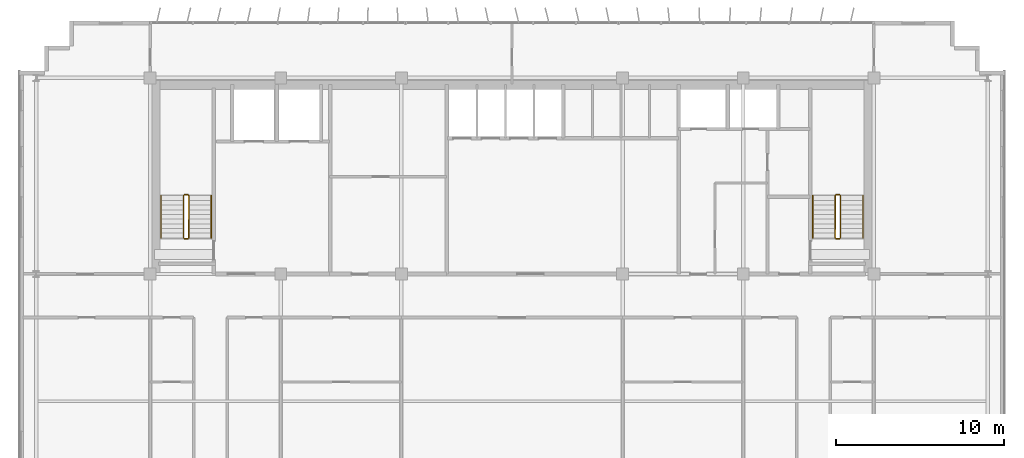
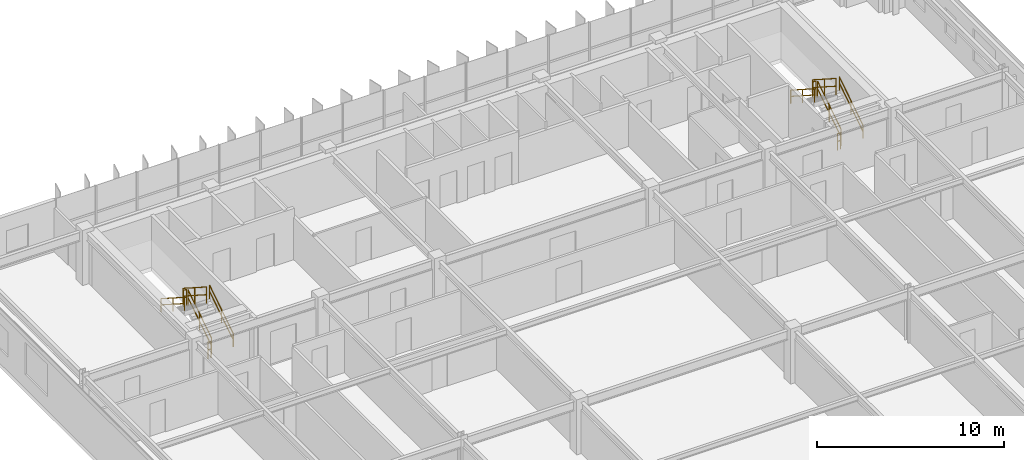
# One storey, part 20 of 20: 12 railings.
"""IFC4 building model written with IfcOpenShell, lengths in metres."""

from ifc_helpers import new_model, si_unit, direction, frame, origin, origin_2d, place, context, subcontext, project, spatial, rectangle, extrude, material, type_object, element, save


model = new_model("IFC4")

# Units and contexts
model_context = context("Model", 3, precision=1e-05, world=origin(), true_north=direction((0.0, 1.0)))
body_context = subcontext(model_context, "Body", "Model", "MODEL_VIEW")
ifc_project = project(units=[si_unit("LENGTHUNIT", "METRE"), si_unit("AREAUNIT", "SQUARE_METRE"), si_unit("VOLUMEUNIT", "CUBIC_METRE"), si_unit("PLANEANGLEUNIT", "RADIAN"), si_unit("MASSUNIT", "GRAM", prefix="KILO")], contexts=[model_context])

# Site, building, storey
site_placement = place(None, origin())
site = spatial("IfcSite", under=ifc_project, at=site_placement, CompositionType="ELEMENT")
building_placement = place(site_placement, origin())
building = spatial("IfcBuilding", under=site, at=building_placement, Name="Trelvane Seafront Commons", CompositionType="ELEMENT")
storey_placement = place(building_placement, frame((0.0, 0.0, 150.10009765625)))
storey = spatial("IfcBuildingStorey", under=building, at=storey_placement, Name="L39", CompositionType="ELEMENT", Elevation=150.10009765625)

# Railings
ifc_material = material(Name="Stainless steel balustrade", Category="steel")
railing_type_1 = type_object("IfcRailingType", Name="ARCH-SRL-GUARD", PredefinedType="GUARDRAIL", material=ifc_material)
railing_1_placement = place(storey_placement, frame((17.89990234375, 35.550048828125, 0.179931640625)))
element("IfcRailing", 1, at=railing_1_placement, inside=storey, type_object=railing_type_1, Name="L39 ST-1 stair guard 1", PredefinedType="GUARDRAIL", context=body_context, shape_type="SweptSolid", body=[
    extrude(rectangle(XDim=0.048095703125, YDim=0.048095703125, at=origin_2d()), frame((0.0, 0.0, 1.076171875), z_axis=(0.0, 0.841199657755, 0.540724639528), x_axis=(-1.0, 0.0, 0.0)), (0.0, 0.0, 1.0), 2.995849609375),
    extrude(rectangle(XDim=0.048095703125, YDim=0.048095703125, at=origin_2d()), frame((0.0, 0.0, 0.572021484375), z_axis=(0.0, 0.841199657755, 0.540724639528), x_axis=(-1.0, 0.0, 0.0)), (0.0, 0.0, 1.0), 2.995849609375),
    extrude(rectangle(XDim=0.0419921875, YDim=0.0419921875, at=origin_2d()), origin(), (0.0, 0.0, 1.0), 1.076171875),
    extrude(rectangle(XDim=0.0419921875, YDim=0.0419921875, at=origin_2d()), frame((0.0, 1.260009765625, 0.81005859375)), (0.0, 0.0, 1.0), 1.076171875),
    extrude(rectangle(XDim=0.0419921875, YDim=0.0419921875, at=origin_2d()), frame((0.0, 2.52001953125, 1.619873046875)), (0.0, 0.0, 1.0), 1.076171875),
])
railing_2_placement = place(storey_placement, frame((17.85009765625, 38.1201171875, 1.7998046875)))
element("IfcRailing", 2, at=railing_2_placement, inside=storey, type_object=railing_type_1, Name="L39 ST-1 stair guard 2", PredefinedType="GUARDRAIL", context=body_context, shape_type="SweptSolid", body=[
    extrude(rectangle(XDim=0.048095703125, YDim=0.048095703125, at=origin_2d()), frame((0.0, 0.0, 1.076171875), z_axis=(-1.0, 0.0, 0.0), x_axis=(0.0, -1.0, 0.0)), (0.0, 0.0, 1.0), 0.2001953125),
    extrude(rectangle(XDim=0.048095703125, YDim=0.048095703125, at=origin_2d()), frame((0.0, 0.0, 0.572021484375), z_axis=(-1.0, 0.0, 0.0), x_axis=(0.0, -1.0, 0.0)), (0.0, 0.0, 1.0), 0.2001953125),
    extrude(rectangle(XDim=0.0419921875, YDim=0.0419921875, at=origin_2d()), origin(), (0.0, 0.0, 1.0), 1.076171875),
    extrude(rectangle(XDim=0.0419921875, YDim=0.0419921875, at=origin_2d()), frame((-0.2001953125, 0.0, 0.0)), (0.0, 0.0, 1.0), 1.076171875),
])
railing_3_placement = place(storey_placement, frame((17.60009765625, 38.070068359375, 1.97998046875)))
element("IfcRailing", 3, at=railing_3_placement, inside=storey, type_object=railing_type_1, Name="L39 ST-1 stair guard 3", PredefinedType="GUARDRAIL", context=body_context, shape_type="SweptSolid", body=[
    extrude(rectangle(XDim=0.048095703125, YDim=0.048095703125, at=origin_2d()), frame((0.0, 0.0, 1.076171875), z_axis=(0.0, -0.841199657755, 0.540724639528), x_axis=(1.0, 0.0, 0.0)), (0.0, 0.0, 1.0), 2.995849609375),
    extrude(rectangle(XDim=0.048095703125, YDim=0.048095703125, at=origin_2d()), frame((0.0, 0.0, 0.572021484375), z_axis=(0.0, -0.841199657755, 0.540724639528), x_axis=(1.0, 0.0, 0.0)), (0.0, 0.0, 1.0), 2.995849609375),
    extrude(rectangle(XDim=0.0419921875, YDim=0.0419921875, at=origin_2d()), origin(), (0.0, 0.0, 1.0), 1.076171875),
    extrude(rectangle(XDim=0.0419921875, YDim=0.0419921875, at=origin_2d()), frame((0.0, -1.260009765625, 0.81005859375)), (0.0, 0.0, 1.0), 1.076171875),
    extrude(rectangle(XDim=0.0419921875, YDim=0.0419921875, at=origin_2d()), frame((0.0, -2.52001953125, 1.619873046875)), (0.0, 0.0, 1.0), 1.076171875),
])
railing_4_placement = place(storey_placement, frame((17.85009765625, 35.5, 0.0)))
element("IfcRailing", 4, at=railing_4_placement, inside=storey, type_object=railing_type_1, Name="L39 ST-1 stair guard 4", PredefinedType="GUARDRAIL", context=body_context, shape_type="SweptSolid", body=[
    extrude(rectangle(XDim=0.048095703125, YDim=0.048095703125, at=origin_2d()), frame((0.0, 0.0, 1.076171875), z_axis=(-1.0, 0.0, 0.0), x_axis=(0.0, -1.0, 0.0)), (0.0, 0.0, 1.0), 0.2001953125),
    extrude(rectangle(XDim=0.048095703125, YDim=0.048095703125, at=origin_2d()), frame((0.0, 0.0, 0.572021484375), z_axis=(-1.0, 0.0, 0.0), x_axis=(0.0, -1.0, 0.0)), (0.0, 0.0, 1.0), 0.2001953125),
    extrude(rectangle(XDim=0.0419921875, YDim=0.0419921875, at=origin_2d()), origin(), (0.0, 0.0, 1.0), 1.076171875),
    extrude(rectangle(XDim=0.0419921875, YDim=0.0419921875, at=origin_2d()), frame((-0.2001953125, 0.0, 0.0)), (0.0, 0.0, 1.0), 1.076171875),
])
railing_5_placement = place(storey_placement, frame((56.800048828125, 35.550048828125, 0.179931640625)))
element("IfcRailing", 5, at=railing_5_placement, inside=storey, type_object=railing_type_1, Name="L39 ST-2 stair guard 1", PredefinedType="GUARDRAIL", context=body_context, shape_type="SweptSolid", body=[
    extrude(rectangle(XDim=0.048095703125, YDim=0.048095703125, at=origin_2d()), frame((0.0, 0.0, 1.076171875), z_axis=(0.0, 0.841199657755, 0.540724639528), x_axis=(-1.0, 0.0, 0.0)), (0.0, 0.0, 1.0), 2.995849609375),
    extrude(rectangle(XDim=0.048095703125, YDim=0.048095703125, at=origin_2d()), frame((0.0, 0.0, 0.572021484375), z_axis=(0.0, 0.841199657755, 0.540724639528), x_axis=(-1.0, 0.0, 0.0)), (0.0, 0.0, 1.0), 2.995849609375),
    extrude(rectangle(XDim=0.0419921875, YDim=0.0419921875, at=origin_2d()), origin(), (0.0, 0.0, 1.0), 1.076171875),
    extrude(rectangle(XDim=0.0419921875, YDim=0.0419921875, at=origin_2d()), frame((0.0, 1.260009765625, 0.81005859375)), (0.0, 0.0, 1.0), 1.076171875),
    extrude(rectangle(XDim=0.0419921875, YDim=0.0419921875, at=origin_2d()), frame((0.0, 2.52001953125, 1.619873046875)), (0.0, 0.0, 1.0), 1.076171875),
])
railing_6_placement = place(storey_placement, frame((56.75, 38.1201171875, 1.7998046875)))
element("IfcRailing", 6, at=railing_6_placement, inside=storey, type_object=railing_type_1, Name="L39 ST-2 stair guard 2", PredefinedType="GUARDRAIL", context=body_context, shape_type="SweptSolid", body=[
    extrude(rectangle(XDim=0.048095703125, YDim=0.048095703125, at=origin_2d()), frame((0.0, 0.0, 1.076171875), z_axis=(-1.0, 0.0, 0.0), x_axis=(0.0, -1.0, 0.0)), (0.0, 0.0, 1.0), 0.199951171875),
    extrude(rectangle(XDim=0.048095703125, YDim=0.048095703125, at=origin_2d()), frame((0.0, 0.0, 0.572021484375), z_axis=(-1.0, 0.0, 0.0), x_axis=(0.0, -1.0, 0.0)), (0.0, 0.0, 1.0), 0.199951171875),
    extrude(rectangle(XDim=0.0419921875, YDim=0.0419921875, at=origin_2d()), origin(), (0.0, 0.0, 1.0), 1.076171875),
    extrude(rectangle(XDim=0.0419921875, YDim=0.0419921875, at=origin_2d()), frame((-0.199951171875, 0.0, 0.0)), (0.0, 0.0, 1.0), 1.076171875),
])
railing_7_placement = place(storey_placement, frame((56.5, 38.070068359375, 1.97998046875)))
element("IfcRailing", 7, at=railing_7_placement, inside=storey, type_object=railing_type_1, Name="L39 ST-2 stair guard 3", PredefinedType="GUARDRAIL", context=body_context, shape_type="SweptSolid", body=[
    extrude(rectangle(XDim=0.048095703125, YDim=0.048095703125, at=origin_2d()), frame((0.0, 0.0, 1.076171875), z_axis=(0.0, -0.841199657755, 0.540724639528), x_axis=(1.0, 0.0, 0.0)), (0.0, 0.0, 1.0), 2.995849609375),
    extrude(rectangle(XDim=0.048095703125, YDim=0.048095703125, at=origin_2d()), frame((0.0, 0.0, 0.572021484375), z_axis=(0.0, -0.841199657755, 0.540724639528), x_axis=(1.0, 0.0, 0.0)), (0.0, 0.0, 1.0), 2.995849609375),
    extrude(rectangle(XDim=0.0419921875, YDim=0.0419921875, at=origin_2d()), origin(), (0.0, 0.0, 1.0), 1.076171875),
    extrude(rectangle(XDim=0.0419921875, YDim=0.0419921875, at=origin_2d()), frame((0.0, -1.260009765625, 0.81005859375)), (0.0, 0.0, 1.0), 1.076171875),
    extrude(rectangle(XDim=0.0419921875, YDim=0.0419921875, at=origin_2d()), frame((0.0, -2.52001953125, 1.619873046875)), (0.0, 0.0, 1.0), 1.076171875),
])
railing_8_placement = place(storey_placement, frame((56.75, 35.5, 0.0)))
element("IfcRailing", 8, at=railing_8_placement, inside=storey, type_object=railing_type_1, Name="L39 ST-2 stair guard 4", PredefinedType="GUARDRAIL", context=body_context, shape_type="SweptSolid", body=[
    extrude(rectangle(XDim=0.048095703125, YDim=0.048095703125, at=origin_2d()), frame((0.0, 0.0, 1.076171875), z_axis=(-1.0, 0.0, 0.0), x_axis=(0.0, -1.0, 0.0)), (0.0, 0.0, 1.0), 0.199951171875),
    extrude(rectangle(XDim=0.048095703125, YDim=0.048095703125, at=origin_2d()), frame((0.0, 0.0, 0.572021484375), z_axis=(-1.0, 0.0, 0.0), x_axis=(0.0, -1.0, 0.0)), (0.0, 0.0, 1.0), 0.199951171875),
    extrude(rectangle(XDim=0.0419921875, YDim=0.0419921875, at=origin_2d()), origin(), (0.0, 0.0, 1.0), 1.076171875),
    extrude(rectangle(XDim=0.0419921875, YDim=0.0419921875, at=origin_2d()), frame((-0.199951171875, 0.0, 0.0)), (0.0, 0.0, 1.0), 1.076171875),
])
railing_type_2 = type_object("IfcRailingType", Name="ARCH-SRL-HAND", PredefinedType="HANDRAIL", material=ifc_material)
railing_9_placement = place(storey_placement, frame((19.25, 35.550048828125, 0.179931640625)))
element("IfcRailing", 9, at=railing_9_placement, inside=storey, type_object=railing_type_2, Name="L39 ST-1 stair handrail 1", PredefinedType="HANDRAIL", context=body_context, shape_type="SweptSolid", body=[
    extrude(rectangle(XDim=0.048095703125, YDim=0.048095703125, at=origin_2d()), frame((0.0, 0.0, 0.8759765625), z_axis=(0.0, 0.841199657755, 0.540724639528), x_axis=(-1.0, 0.0, 0.0)), (0.0, 0.0, 1.0), 2.995849609375),
    extrude(rectangle(XDim=0.048095703125, YDim=0.048095703125, at=origin_2d()), frame((0.0, 0.0, 0.468017578125), z_axis=(0.0, 0.841199657755, 0.540724639528), x_axis=(-1.0, 0.0, 0.0)), (0.0, 0.0, 1.0), 2.995849609375),
    extrude(rectangle(XDim=0.0419921875, YDim=0.0419921875, at=origin_2d()), origin(), (0.0, 0.0, 1.0), 0.8759765625),
    extrude(rectangle(XDim=0.0419921875, YDim=0.0419921875, at=origin_2d()), frame((0.0, 1.260009765625, 0.81005859375)), (0.0, 0.0, 1.0), 0.8759765625),
    extrude(rectangle(XDim=0.0419921875, YDim=0.0419921875, at=origin_2d()), frame((0.0, 2.52001953125, 1.619873046875)), (0.0, 0.0, 1.0), 0.8759765625),
])
railing_10_placement = place(storey_placement, frame((16.25, 38.070068359375, 1.97998046875)))
element("IfcRailing", 10, at=railing_10_placement, inside=storey, type_object=railing_type_2, Name="L39 ST-1 stair handrail 2", PredefinedType="HANDRAIL", context=body_context, shape_type="SweptSolid", body=[
    extrude(rectangle(XDim=0.048095703125, YDim=0.048095703125, at=origin_2d()), frame((0.0, 0.0, 0.8759765625), z_axis=(0.0, -0.841199657755, 0.540724639528), x_axis=(1.0, 0.0, 0.0)), (0.0, 0.0, 1.0), 2.995849609375),
    extrude(rectangle(XDim=0.048095703125, YDim=0.048095703125, at=origin_2d()), frame((0.0, 0.0, 0.468017578125), z_axis=(0.0, -0.841199657755, 0.540724639528), x_axis=(1.0, 0.0, 0.0)), (0.0, 0.0, 1.0), 2.995849609375),
    extrude(rectangle(XDim=0.0419921875, YDim=0.0419921875, at=origin_2d()), origin(), (0.0, 0.0, 1.0), 0.8759765625),
    extrude(rectangle(XDim=0.0419921875, YDim=0.0419921875, at=origin_2d()), frame((0.0, -1.260009765625, 0.81005859375)), (0.0, 0.0, 1.0), 0.8759765625),
    extrude(rectangle(XDim=0.0419921875, YDim=0.0419921875, at=origin_2d()), frame((0.0, -2.52001953125, 1.619873046875)), (0.0, 0.0, 1.0), 0.8759765625),
])
railing_11_placement = place(storey_placement, frame((58.14990234375, 35.550048828125, 0.179931640625)))
element("IfcRailing", 11, at=railing_11_placement, inside=storey, type_object=railing_type_2, Name="L39 ST-2 stair handrail 1", PredefinedType="HANDRAIL", context=body_context, shape_type="SweptSolid", body=[
    extrude(rectangle(XDim=0.048095703125, YDim=0.048095703125, at=origin_2d()), frame((0.0, 0.0, 0.8759765625), z_axis=(0.0, 0.841199657755, 0.540724639528), x_axis=(-1.0, 0.0, 0.0)), (0.0, 0.0, 1.0), 2.995849609375),
    extrude(rectangle(XDim=0.048095703125, YDim=0.048095703125, at=origin_2d()), frame((0.0, 0.0, 0.468017578125), z_axis=(0.0, 0.841199657755, 0.540724639528), x_axis=(-1.0, 0.0, 0.0)), (0.0, 0.0, 1.0), 2.995849609375),
    extrude(rectangle(XDim=0.0419921875, YDim=0.0419921875, at=origin_2d()), origin(), (0.0, 0.0, 1.0), 0.8759765625),
    extrude(rectangle(XDim=0.0419921875, YDim=0.0419921875, at=origin_2d()), frame((0.0, 1.260009765625, 0.81005859375)), (0.0, 0.0, 1.0), 0.8759765625),
    extrude(rectangle(XDim=0.0419921875, YDim=0.0419921875, at=origin_2d()), frame((0.0, 2.52001953125, 1.619873046875)), (0.0, 0.0, 1.0), 0.8759765625),
])
railing_12_placement = place(storey_placement, frame((55.14990234375, 38.070068359375, 1.97998046875)))
element("IfcRailing", 12, at=railing_12_placement, inside=storey, type_object=railing_type_2, Name="L39 ST-2 stair handrail 2", PredefinedType="HANDRAIL", context=body_context, shape_type="SweptSolid", body=[
    extrude(rectangle(XDim=0.048095703125, YDim=0.048095703125, at=origin_2d()), frame((0.0, 0.0, 0.8759765625), z_axis=(0.0, -0.841199657755, 0.540724639528), x_axis=(1.0, 0.0, 0.0)), (0.0, 0.0, 1.0), 2.995849609375),
    extrude(rectangle(XDim=0.048095703125, YDim=0.048095703125, at=origin_2d()), frame((0.0, 0.0, 0.468017578125), z_axis=(0.0, -0.841199657755, 0.540724639528), x_axis=(1.0, 0.0, 0.0)), (0.0, 0.0, 1.0), 2.995849609375),
    extrude(rectangle(XDim=0.0419921875, YDim=0.0419921875, at=origin_2d()), origin(), (0.0, 0.0, 1.0), 0.8759765625),
    extrude(rectangle(XDim=0.0419921875, YDim=0.0419921875, at=origin_2d()), frame((0.0, -1.260009765625, 0.81005859375)), (0.0, 0.0, 1.0), 0.8759765625),
    extrude(rectangle(XDim=0.0419921875, YDim=0.0419921875, at=origin_2d()), frame((0.0, -2.52001953125, 1.619873046875)), (0.0, 0.0, 1.0), 0.8759765625),
])

save(model, "model.ifc")
